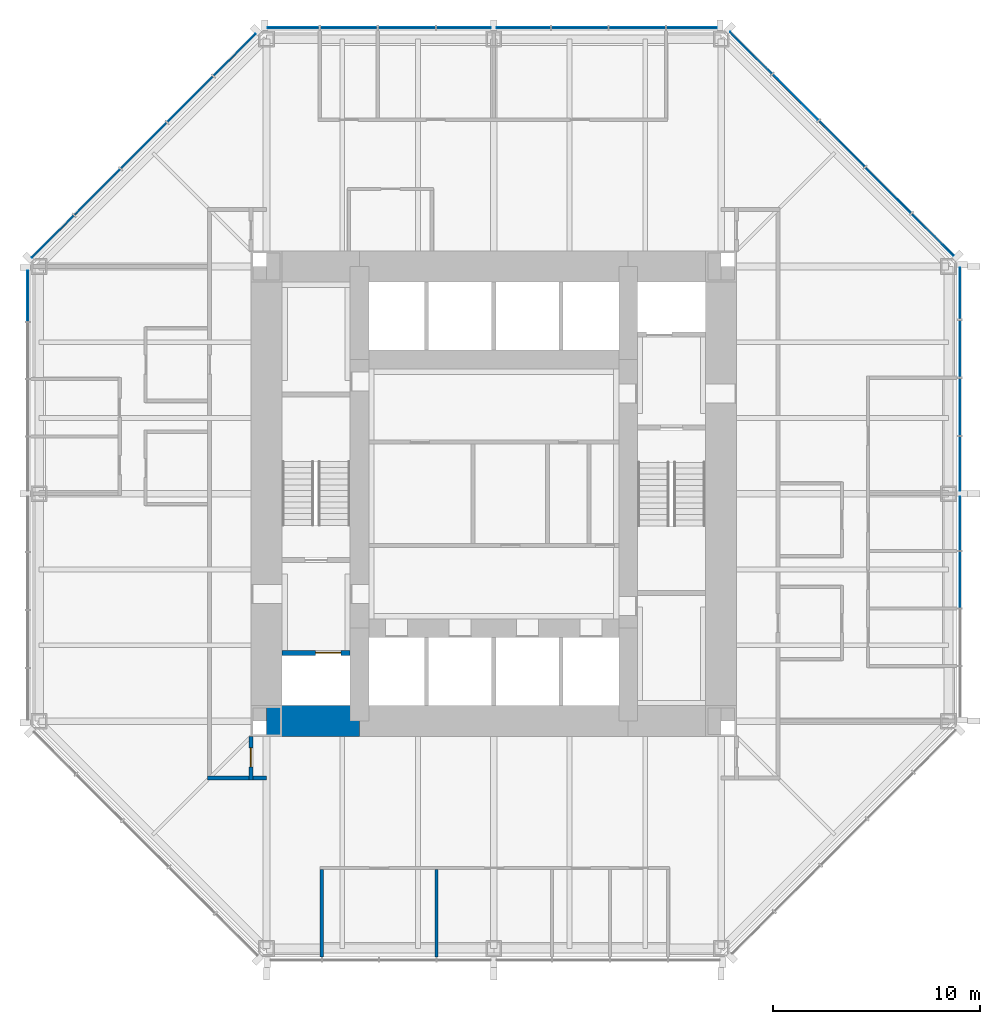
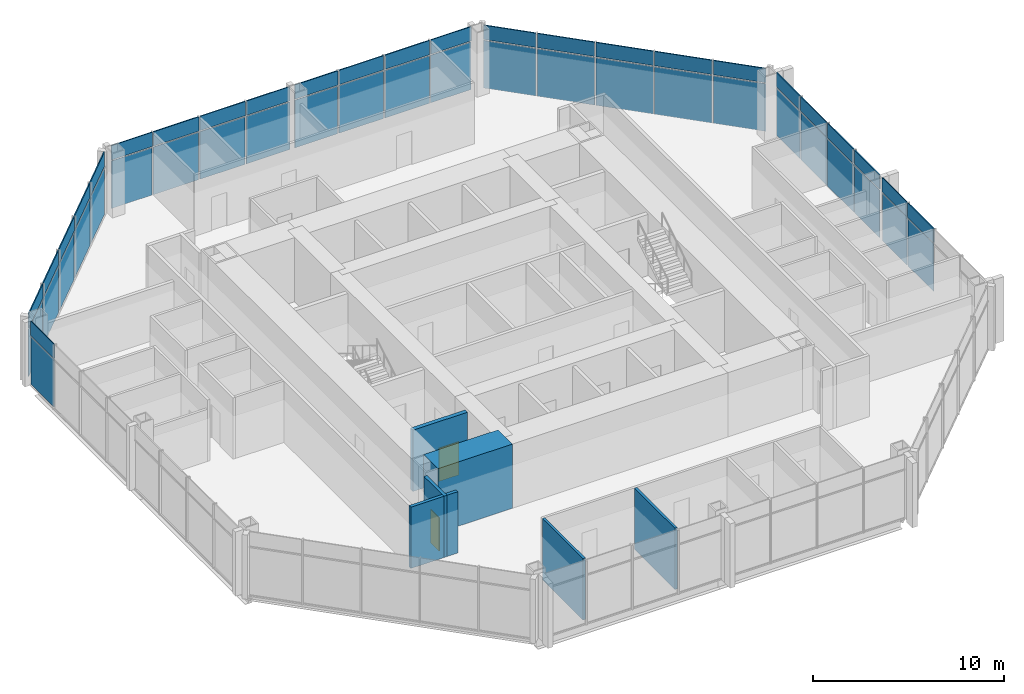
# One storey, part 8 of 12: 50 plates, 6 walls, 2 doors, 2 openings, 5 elements without a shape of their own.
"""IFC4 building model written with IfcOpenShell, lengths in metres."""

from ifc_helpers import new_model, si_unit, direction, frame, frame_2d, origin, origin_2d, place, context, subcontext, project, spatial, rectangle, extrude, material, layer, layer_set, type_object, element, fill, aggregate, save


model = new_model("IFC4")

# Units and contexts
model_context = context("Model", 3, precision=1e-05, world=origin(), true_north=direction((0.0, 1.0)))
body_context = subcontext(model_context, "Body", "Model", "MODEL_VIEW")
ifc_project = project(units=[si_unit("LENGTHUNIT", "METRE"), si_unit("AREAUNIT", "SQUARE_METRE"), si_unit("VOLUMEUNIT", "CUBIC_METRE"), si_unit("PLANEANGLEUNIT", "RADIAN"), si_unit("MASSUNIT", "GRAM", prefix="KILO")], contexts=[model_context])

# Site, building, storey
site_placement = place(None, origin())
site = spatial("IfcSite", under=ifc_project, at=site_placement, CompositionType="ELEMENT")
building_placement = place(site_placement, origin())
building = spatial("IfcBuilding", under=site, at=building_placement, Name="Trevanion Tower", CompositionType="ELEMENT")
storey_placement = place(building_placement, frame((0.0, 0.0, 141.800048828125)))
storey = spatial("IfcBuildingStorey", under=building, at=storey_placement, Name="L33", CompositionType="ELEMENT", Elevation=141.800048828125)

# Curtain wall, plates
ifc_material_1 = material(Name="Aluminium and glass", Category="aluminium")
curtain_wall_type = type_object("IfcCurtainWallType", Name="CW2 curtain wall", PredefinedType="USERDEFINED", material=ifc_material_1)
curtain_wall_1_placement = place(storey_placement, origin())
curtain_wall_1 = element("IfcCurtainWall", 1, at=curtain_wall_1_placement, inside=storey, type_object=curtain_wall_type, Name="CW2 L33 0", ObjectType="UNITISED CURTAIN WALL", PredefinedType="USERDEFINED")
ifc_material_2 = material(Name="Aluminium spandrel panel", Category="aluminium")
ifc_layer_1 = layer(ifc_material_2, 0.06005859375)
ifc_layer_set_1 = layer_set([ifc_layer_1], Name="CW2 spandrel panel")
plate_type_1 = type_object("IfcPlateType", Name="CW2 spandrel panel", PredefinedType="CURTAIN_PANEL", material=ifc_layer_set_1)
plate_1_placement = place(storey_placement, frame((22.550048828125, -4.16162109375, 2.99755859375), z_axis=(0.0, 0.0, 1.0), x_axis=(0.0, 1.0, 0.0)))
plate_1 = element("IfcPlate", 2, at=plate_1_placement, type_object=plate_type_1, Name="CW2 panel 3.2", PredefinedType="CURTAIN_PANEL", context=body_context, shape_type="SweptSolid", body=[
    extrude(rectangle(XDim=2.699462890625, YDim=0.06005859375, at=origin_2d()), origin(), (0.0, 0.0, 1.0), 0.91259765625),
])
plate_2_placement = place(storey_placement, frame((22.550048828125, -1.443603515625, 2.99755859375), z_axis=(0.0, 0.0, 1.0), x_axis=(0.0, 1.0, 0.0)))
plate_2 = element("IfcPlate", 3, at=plate_2_placement, type_object=plate_type_1, Name="CW2 panel 4.2", PredefinedType="CURTAIN_PANEL", context=body_context, shape_type="SweptSolid", body=[
    extrude(rectangle(XDim=2.5869140625, YDim=0.06005859375, at=origin_2d()), origin(), (0.0, 0.0, 1.0), 0.91259765625),
])
plate_3_placement = place(storey_placement, frame((22.550048828125, 1.459716796875, 2.99755859375), z_axis=(0.0, 0.0, 1.0), x_axis=(0.0, 1.0, 0.0)))
plate_3 = element("IfcPlate", 4, at=plate_3_placement, type_object=plate_type_1, Name="CW2 panel 5.2", PredefinedType="CURTAIN_PANEL", context=body_context, shape_type="SweptSolid", body=[
    extrude(rectangle(XDim=2.619384765625, YDim=0.06005859375, at=origin_2d()), origin(), (0.0, 0.0, 1.0), 0.91259765625),
])
plate_4_placement = place(storey_placement, frame((22.550048828125, 4.21044921875, 2.99755859375), z_axis=(0.0, 0.0, 1.0), x_axis=(0.0, 1.0, 0.0)))
plate_4 = element("IfcPlate", 5, at=plate_4_placement, type_object=plate_type_1, Name="CW2 panel 6.2", PredefinedType="CURTAIN_PANEL", context=body_context, shape_type="SweptSolid", body=[
    extrude(rectangle(XDim=2.73193359375, YDim=0.06005859375, at=origin_2d()), origin(), (0.0, 0.0, 1.0), 0.91259765625),
])
plate_5_placement = place(storey_placement, frame((22.550048828125, 7.017333984375, 2.99755859375), z_axis=(0.0, 0.0, 1.0), x_axis=(0.0, 1.0, 0.0)))
plate_5 = element("IfcPlate", 6, at=plate_5_placement, type_object=plate_type_1, Name="CW2 panel 7.2", PredefinedType="CURTAIN_PANEL", context=body_context, shape_type="SweptSolid", body=[
    extrude(rectangle(XDim=2.73193359375, YDim=0.06005859375, at=origin_2d()), origin(), (0.0, 0.0, 1.0), 0.91259765625),
])
plate_6_placement = place(storey_placement, frame((22.550048828125, 9.693115234375, 2.99755859375), z_axis=(0.0, 0.0, 1.0), x_axis=(0.0, 1.0, 0.0)))
plate_6 = element("IfcPlate", 7, at=plate_6_placement, type_object=plate_type_1, Name="CW2 panel 8.2", PredefinedType="CURTAIN_PANEL", context=body_context, shape_type="SweptSolid", body=[
    extrude(rectangle(XDim=2.469482421875, YDim=0.06005859375, at=origin_2d()), origin(), (0.0, 0.0, 1.0), 0.91259765625),
])

curtain_wall_2_placement = place(storey_placement, origin())
curtain_wall_2 = element("IfcCurtainWall", 8, at=curtain_wall_2_placement, inside=storey, type_object=curtain_wall_type, Name="CW2 L33 1", ObjectType="UNITISED CURTAIN WALL", PredefinedType="USERDEFINED")
plate_7_placement = place(storey_placement, frame((21.2421875, 12.53564453125, 2.99755859375), z_axis=(0.0, 0.0, 1.0), x_axis=(-0.707106781187, 0.707106781187, 0.0)))
plate_7 = element("IfcPlate", 9, at=plate_7_placement, type_object=plate_type_1, Name="CW2 panel 1.2", PredefinedType="CURTAIN_PANEL", context=body_context, shape_type="SweptSolid", body=[
    extrude(rectangle(XDim=2.8388671875, YDim=0.06005859375, at=origin_2d()), origin(), (0.0, 0.0, 1.0), 0.91259765625),
])
plate_8_placement = place(storey_placement, frame((19.089111328125, 14.688720703125, 2.99755859375), z_axis=(0.0, 0.0, 1.0), x_axis=(-0.707106781187, 0.707106781187, 0.0)))
plate_8 = element("IfcPlate", 10, at=plate_8_placement, type_object=plate_type_1, Name="CW2 panel 2.2", PredefinedType="CURTAIN_PANEL", context=body_context, shape_type="SweptSolid", body=[
    extrude(rectangle(XDim=3.101318359375, YDim=0.06005859375, at=origin_2d()), origin(), (0.0, 0.0, 1.0), 0.91259765625),
])
plate_9_placement = place(storey_placement, frame((16.843017578125, 16.934814453125, 2.99755859375), z_axis=(0.0, 0.0, 1.0), x_axis=(-0.707106781187, 0.707106781187, 0.0)))
plate_9 = element("IfcPlate", 11, at=plate_9_placement, type_object=plate_type_1, Name="CW2 panel 3.2", PredefinedType="CURTAIN_PANEL", context=body_context, shape_type="SweptSolid", body=[
    extrude(rectangle(XDim=3.101318359375, YDim=0.06005859375, at=origin_2d()), origin(), (0.0, 0.0, 1.0), 0.91259765625),
])
plate_10_placement = place(storey_placement, frame((14.596923828125, 19.180908203125, 2.99755859375), z_axis=(0.0, 0.0, 1.0), x_axis=(-0.707106781187, 0.707106781187, 0.0)))
plate_10 = element("IfcPlate", 12, at=plate_10_placement, type_object=plate_type_1, Name="CW2 panel 4.2", PredefinedType="CURTAIN_PANEL", context=body_context, shape_type="SweptSolid", body=[
    extrude(rectangle(XDim=3.101318359375, YDim=0.06005859375, at=origin_2d()), origin(), (0.0, 0.0, 1.0), 0.91259765625),
])
plate_11_placement = place(storey_placement, frame((12.443603515625, 21.334228515625, 2.99755859375), z_axis=(0.0, 0.0, 1.0), x_axis=(-0.707106781187, 0.707106781187, 0.0)))
plate_11 = element("IfcPlate", 13, at=plate_11_placement, type_object=plate_type_1, Name="CW2 panel 5.2", PredefinedType="CURTAIN_PANEL", context=body_context, shape_type="SweptSolid", body=[
    extrude(rectangle(XDim=2.8388671875, YDim=0.06005859375, at=origin_2d()), origin(), (0.0, 0.0, 1.0), 0.91259765625),
])

curtain_wall_3_placement = place(storey_placement, origin())
curtain_wall_3 = element("IfcCurtainWall", 14, at=curtain_wall_3_placement, inside=storey, type_object=curtain_wall_type, Name="CW2 L33 2", ObjectType="UNITISED CURTAIN WALL", PredefinedType="USERDEFINED")
plate_12_placement = place(storey_placement, frame((9.579345703125, 22.550048828125, 2.99755859375), z_axis=(0.0, 0.0, 1.0), x_axis=(-1.0, 0.0, 0.0)))
plate_12 = element("IfcPlate", 15, at=plate_12_placement, type_object=plate_type_1, Name="CW2 panel 1.2", PredefinedType="CURTAIN_PANEL", context=body_context, shape_type="SweptSolid", body=[
    extrude(rectangle(XDim=2.43701171875, YDim=0.06005859375, at=origin_2d()), origin(), (0.0, 0.0, 1.0), 0.91259765625),
])
plate_13_placement = place(storey_placement, frame((6.93603515625, 22.550048828125, 2.99755859375), z_axis=(0.0, 0.0, 1.0), x_axis=(-1.0, 0.0, 0.0)))
plate_13 = element("IfcPlate", 16, at=plate_13_placement, type_object=plate_type_1, Name="CW2 panel 2.2", PredefinedType="CURTAIN_PANEL", context=body_context, shape_type="SweptSolid", body=[
    extrude(rectangle(XDim=2.699462890625, YDim=0.06005859375, at=origin_2d()), origin(), (0.0, 0.0, 1.0), 0.91259765625),
])
plate_14_placement = place(storey_placement, frame((4.16162109375, 22.550048828125, 2.99755859375), z_axis=(0.0, 0.0, 1.0), x_axis=(-1.0, 0.0, 0.0)))
plate_14 = element("IfcPlate", 17, at=plate_14_placement, type_object=plate_type_1, Name="CW2 panel 3.2", PredefinedType="CURTAIN_PANEL", context=body_context, shape_type="SweptSolid", body=[
    extrude(rectangle(XDim=2.699462890625, YDim=0.06005859375, at=origin_2d()), origin(), (0.0, 0.0, 1.0), 0.91259765625),
])
plate_15_placement = place(storey_placement, frame((1.443603515625, 22.550048828125, 2.99755859375), z_axis=(0.0, 0.0, 1.0), x_axis=(-1.0, 0.0, 0.0)))
plate_15 = element("IfcPlate", 18, at=plate_15_placement, type_object=plate_type_1, Name="CW2 panel 4.2", PredefinedType="CURTAIN_PANEL", context=body_context, shape_type="SweptSolid", body=[
    extrude(rectangle(XDim=2.5869140625, YDim=0.06005859375, at=origin_2d()), origin(), (0.0, 0.0, 1.0), 0.91259765625),
])
plate_16_placement = place(storey_placement, frame((-1.459716796875, 22.550048828125, 2.99755859375), z_axis=(0.0, 0.0, 1.0), x_axis=(-1.0, 0.0, 0.0)))
plate_16 = element("IfcPlate", 19, at=plate_16_placement, type_object=plate_type_1, Name="CW2 panel 5.2", PredefinedType="CURTAIN_PANEL", context=body_context, shape_type="SweptSolid", body=[
    extrude(rectangle(XDim=2.619384765625, YDim=0.06005859375, at=origin_2d()), origin(), (0.0, 0.0, 1.0), 0.91259765625),
])
plate_17_placement = place(storey_placement, frame((-4.21044921875, 22.550048828125, 2.99755859375), z_axis=(0.0, 0.0, 1.0), x_axis=(-1.0, 0.0, 0.0)))
plate_17 = element("IfcPlate", 20, at=plate_17_placement, type_object=plate_type_1, Name="CW2 panel 6.2", PredefinedType="CURTAIN_PANEL", context=body_context, shape_type="SweptSolid", body=[
    extrude(rectangle(XDim=2.73193359375, YDim=0.06005859375, at=origin_2d()), origin(), (0.0, 0.0, 1.0), 0.91259765625),
])
plate_18_placement = place(storey_placement, frame((-7.017333984375, 22.550048828125, 2.99755859375), z_axis=(0.0, 0.0, 1.0), x_axis=(-1.0, 0.0, 0.0)))
plate_18 = element("IfcPlate", 21, at=plate_18_placement, type_object=plate_type_1, Name="CW2 panel 7.2", PredefinedType="CURTAIN_PANEL", context=body_context, shape_type="SweptSolid", body=[
    extrude(rectangle(XDim=2.73193359375, YDim=0.06005859375, at=origin_2d()), origin(), (0.0, 0.0, 1.0), 0.91259765625),
])
plate_19_placement = place(storey_placement, frame((-9.693115234375, 22.550048828125, 2.99755859375), z_axis=(0.0, 0.0, 1.0), x_axis=(-1.0, 0.0, 0.0)))
plate_19 = element("IfcPlate", 22, at=plate_19_placement, type_object=plate_type_1, Name="CW2 panel 8.2", PredefinedType="CURTAIN_PANEL", context=body_context, shape_type="SweptSolid", body=[
    extrude(rectangle(XDim=2.469482421875, YDim=0.06005859375, at=origin_2d()), origin(), (0.0, 0.0, 1.0), 0.91259765625),
])

curtain_wall_4_placement = place(storey_placement, origin())
curtain_wall_4 = element("IfcCurtainWall", 23, at=curtain_wall_4_placement, inside=storey, type_object=curtain_wall_type, Name="CW2 L33 3", ObjectType="UNITISED CURTAIN WALL", PredefinedType="USERDEFINED")
plate_20_placement = place(storey_placement, frame((-12.53564453125, 21.2421875, 2.99755859375), z_axis=(0.0, 0.0, 1.0), x_axis=(-0.707106781187, -0.707106781187, 0.0)))
plate_20 = element("IfcPlate", 24, at=plate_20_placement, type_object=plate_type_1, Name="CW2 panel 1.2", PredefinedType="CURTAIN_PANEL", context=body_context, shape_type="SweptSolid", body=[
    extrude(rectangle(XDim=2.8388671875, YDim=0.06005859375, at=origin_2d()), origin(), (0.0, 0.0, 1.0), 0.91259765625),
])
plate_21_placement = place(storey_placement, frame((-14.688720703125, 19.089111328125, 2.99755859375), z_axis=(0.0, 0.0, 1.0), x_axis=(-0.707106781187, -0.707106781187, 0.0)))
plate_21 = element("IfcPlate", 25, at=plate_21_placement, type_object=plate_type_1, Name="CW2 panel 2.2", PredefinedType="CURTAIN_PANEL", context=body_context, shape_type="SweptSolid", body=[
    extrude(rectangle(XDim=3.101318359375, YDim=0.06005859375, at=origin_2d()), origin(), (0.0, 0.0, 1.0), 0.91259765625),
])
plate_22_placement = place(storey_placement, frame((-16.934814453125, 16.843017578125, 2.99755859375), z_axis=(0.0, 0.0, 1.0), x_axis=(-0.707106781187, -0.707106781187, 0.0)))
plate_22 = element("IfcPlate", 26, at=plate_22_placement, type_object=plate_type_1, Name="CW2 panel 3.2", PredefinedType="CURTAIN_PANEL", context=body_context, shape_type="SweptSolid", body=[
    extrude(rectangle(XDim=3.101318359375, YDim=0.06005859375, at=origin_2d()), origin(), (0.0, 0.0, 1.0), 0.91259765625),
])
plate_23_placement = place(storey_placement, frame((-19.180908203125, 14.596923828125, 2.99755859375), z_axis=(0.0, 0.0, 1.0), x_axis=(-0.707106781187, -0.707106781187, 0.0)))
plate_23 = element("IfcPlate", 27, at=plate_23_placement, type_object=plate_type_1, Name="CW2 panel 4.2", PredefinedType="CURTAIN_PANEL", context=body_context, shape_type="SweptSolid", body=[
    extrude(rectangle(XDim=3.101318359375, YDim=0.06005859375, at=origin_2d()), origin(), (0.0, 0.0, 1.0), 0.91259765625),
])
plate_24_placement = place(storey_placement, frame((-21.334228515625, 12.443603515625, 2.99755859375), z_axis=(0.0, 0.0, 1.0), x_axis=(-0.707106781187, -0.707106781187, 0.0)))
plate_24 = element("IfcPlate", 28, at=plate_24_placement, type_object=plate_type_1, Name="CW2 panel 5.2", PredefinedType="CURTAIN_PANEL", context=body_context, shape_type="SweptSolid", body=[
    extrude(rectangle(XDim=2.8388671875, YDim=0.06005859375, at=origin_2d()), origin(), (0.0, 0.0, 1.0), 0.91259765625),
])

# Curtain wall, plate
curtain_wall_5_placement = place(storey_placement, origin())
curtain_wall_5 = element("IfcCurtainWall", 29, at=curtain_wall_5_placement, inside=storey, type_object=curtain_wall_type, Name="CW2 L33 4", ObjectType="UNITISED CURTAIN WALL", PredefinedType="USERDEFINED")
plate_25_placement = place(storey_placement, frame((-22.550048828125, 9.579345703125, 2.99755859375), z_axis=(0.0, 0.0, 1.0), x_axis=(0.0, -1.0, 0.0)))
plate_25 = element("IfcPlate", 30, at=plate_25_placement, type_object=plate_type_1, Name="CW2 panel 1.2", PredefinedType="CURTAIN_PANEL", context=body_context, shape_type="SweptSolid", body=[
    extrude(rectangle(XDim=2.43701171875, YDim=0.06005859375, at=origin_2d()), origin(), (0.0, 0.0, 1.0), 0.91259765625),
])

# Plate
ifc_material_3 = material(Name="Insulating glass unit", Category="glass")
ifc_layer_2 = layer(ifc_material_3, 0.028076171875)
ifc_layer_set_2 = layer_set([ifc_layer_2], Name="CW2 vision panel")
plate_type_2 = type_object("IfcPlateType", Name="CW2 vision panel", PredefinedType="CURTAIN_PANEL", material=ifc_layer_set_2)
plate_26_placement = place(storey_placement, frame((22.550048828125, -4.16162109375, -0.114990234375), z_axis=(0.0, 0.0, 1.0), x_axis=(0.0, 1.0, 0.0)))
plate_26 = element("IfcPlate", 31, at=plate_26_placement, type_object=plate_type_2, Name="CW2 panel 3.1", PredefinedType="CURTAIN_PANEL", context=body_context, shape_type="SweptSolid", body=[
    extrude(rectangle(XDim=2.699462890625, YDim=0.028076171875, at=origin_2d()), origin(), (0.0, 0.0, 1.0), 3.03759765625),
])

plate_27_placement = place(storey_placement, frame((22.550048828125, -1.443603515625, -0.114990234375), z_axis=(0.0, 0.0, 1.0), x_axis=(0.0, 1.0, 0.0)))
plate_27 = element("IfcPlate", 32, at=plate_27_placement, type_object=plate_type_2, Name="CW2 panel 4.1", PredefinedType="CURTAIN_PANEL", context=body_context, shape_type="SweptSolid", body=[
    extrude(rectangle(XDim=2.5869140625, YDim=0.028076171875, at=origin_2d()), origin(), (0.0, 0.0, 1.0), 3.03759765625),
])

plate_28_placement = place(storey_placement, frame((22.550048828125, 1.459716796875, -0.114990234375), z_axis=(0.0, 0.0, 1.0), x_axis=(0.0, 1.0, 0.0)))
plate_28 = element("IfcPlate", 33, at=plate_28_placement, type_object=plate_type_2, Name="CW2 panel 5.1", PredefinedType="CURTAIN_PANEL", context=body_context, shape_type="SweptSolid", body=[
    extrude(rectangle(XDim=2.619384765625, YDim=0.028076171875, at=origin_2d()), origin(), (0.0, 0.0, 1.0), 3.03759765625),
])

plate_29_placement = place(storey_placement, frame((22.550048828125, 4.21044921875, -0.114990234375), z_axis=(0.0, 0.0, 1.0), x_axis=(0.0, 1.0, 0.0)))
plate_29 = element("IfcPlate", 34, at=plate_29_placement, type_object=plate_type_2, Name="CW2 panel 6.1", PredefinedType="CURTAIN_PANEL", context=body_context, shape_type="SweptSolid", body=[
    extrude(rectangle(XDim=2.73193359375, YDim=0.028076171875, at=origin_2d()), origin(), (0.0, 0.0, 1.0), 3.03759765625),
])

plate_30_placement = place(storey_placement, frame((22.550048828125, 7.017333984375, -0.114990234375), z_axis=(0.0, 0.0, 1.0), x_axis=(0.0, 1.0, 0.0)))
plate_30 = element("IfcPlate", 35, at=plate_30_placement, type_object=plate_type_2, Name="CW2 panel 7.1", PredefinedType="CURTAIN_PANEL", context=body_context, shape_type="SweptSolid", body=[
    extrude(rectangle(XDim=2.73193359375, YDim=0.028076171875, at=origin_2d()), origin(), (0.0, 0.0, 1.0), 3.03759765625),
])

plate_31_placement = place(storey_placement, frame((22.550048828125, 9.693115234375, -0.114990234375), z_axis=(0.0, 0.0, 1.0), x_axis=(0.0, 1.0, 0.0)))
plate_31 = element("IfcPlate", 36, at=plate_31_placement, type_object=plate_type_2, Name="CW2 panel 8.1", PredefinedType="CURTAIN_PANEL", context=body_context, shape_type="SweptSolid", body=[
    extrude(rectangle(XDim=2.469482421875, YDim=0.028076171875, at=origin_2d()), origin(), (0.0, 0.0, 1.0), 3.03759765625),
])

aggregate(curtain_wall_1, [plate_26, plate_1, plate_27, plate_2, plate_28, plate_3, plate_29, plate_4, plate_30, plate_5, plate_31, plate_6])

plate_32_placement = place(storey_placement, frame((21.2421875, 12.53564453125, -0.114990234375), z_axis=(0.0, 0.0, 1.0), x_axis=(-0.707106781187, 0.707106781187, 0.0)))
plate_32 = element("IfcPlate", 37, at=plate_32_placement, type_object=plate_type_2, Name="CW2 panel 1.1", PredefinedType="CURTAIN_PANEL", context=body_context, shape_type="SweptSolid", body=[
    extrude(rectangle(XDim=2.8388671875, YDim=0.028076171875, at=origin_2d()), origin(), (0.0, 0.0, 1.0), 3.03759765625),
])

plate_33_placement = place(storey_placement, frame((19.089111328125, 14.688720703125, -0.114990234375), z_axis=(0.0, 0.0, 1.0), x_axis=(-0.707106781187, 0.707106781187, 0.0)))
plate_33 = element("IfcPlate", 38, at=plate_33_placement, type_object=plate_type_2, Name="CW2 panel 2.1", PredefinedType="CURTAIN_PANEL", context=body_context, shape_type="SweptSolid", body=[
    extrude(rectangle(XDim=3.101318359375, YDim=0.028076171875, at=origin_2d()), origin(), (0.0, 0.0, 1.0), 3.03759765625),
])

plate_34_placement = place(storey_placement, frame((16.843017578125, 16.934814453125, -0.114990234375), z_axis=(0.0, 0.0, 1.0), x_axis=(-0.707106781187, 0.707106781187, 0.0)))
plate_34 = element("IfcPlate", 39, at=plate_34_placement, type_object=plate_type_2, Name="CW2 panel 3.1", PredefinedType="CURTAIN_PANEL", context=body_context, shape_type="SweptSolid", body=[
    extrude(rectangle(XDim=3.101318359375, YDim=0.028076171875, at=origin_2d()), origin(), (0.0, 0.0, 1.0), 3.03759765625),
])

plate_35_placement = place(storey_placement, frame((14.596923828125, 19.180908203125, -0.114990234375), z_axis=(0.0, 0.0, 1.0), x_axis=(-0.707106781187, 0.707106781187, 0.0)))
plate_35 = element("IfcPlate", 40, at=plate_35_placement, type_object=plate_type_2, Name="CW2 panel 4.1", PredefinedType="CURTAIN_PANEL", context=body_context, shape_type="SweptSolid", body=[
    extrude(rectangle(XDim=3.101318359375, YDim=0.028076171875, at=origin_2d()), origin(), (0.0, 0.0, 1.0), 3.03759765625),
])

plate_36_placement = place(storey_placement, frame((12.443603515625, 21.334228515625, -0.114990234375), z_axis=(0.0, 0.0, 1.0), x_axis=(-0.707106781187, 0.707106781187, 0.0)))
plate_36 = element("IfcPlate", 41, at=plate_36_placement, type_object=plate_type_2, Name="CW2 panel 5.1", PredefinedType="CURTAIN_PANEL", context=body_context, shape_type="SweptSolid", body=[
    extrude(rectangle(XDim=2.8388671875, YDim=0.028076171875, at=origin_2d()), origin(), (0.0, 0.0, 1.0), 3.03759765625),
])

aggregate(curtain_wall_2, [plate_32, plate_7, plate_33, plate_8, plate_34, plate_9, plate_35, plate_10, plate_36, plate_11])

plate_37_placement = place(storey_placement, frame((9.579345703125, 22.550048828125, -0.114990234375), z_axis=(0.0, 0.0, 1.0), x_axis=(-1.0, 0.0, 0.0)))
plate_37 = element("IfcPlate", 42, at=plate_37_placement, type_object=plate_type_2, Name="CW2 panel 1.1", PredefinedType="CURTAIN_PANEL", context=body_context, shape_type="SweptSolid", body=[
    extrude(rectangle(XDim=2.43701171875, YDim=0.028076171875, at=origin_2d()), origin(), (0.0, 0.0, 1.0), 3.03759765625),
])

plate_38_placement = place(storey_placement, frame((6.93603515625, 22.550048828125, -0.114990234375), z_axis=(0.0, 0.0, 1.0), x_axis=(-1.0, 0.0, 0.0)))
plate_38 = element("IfcPlate", 43, at=plate_38_placement, type_object=plate_type_2, Name="CW2 panel 2.1", PredefinedType="CURTAIN_PANEL", context=body_context, shape_type="SweptSolid", body=[
    extrude(rectangle(XDim=2.699462890625, YDim=0.028076171875, at=origin_2d()), origin(), (0.0, 0.0, 1.0), 3.03759765625),
])

plate_39_placement = place(storey_placement, frame((4.16162109375, 22.550048828125, -0.114990234375), z_axis=(0.0, 0.0, 1.0), x_axis=(-1.0, 0.0, 0.0)))
plate_39 = element("IfcPlate", 44, at=plate_39_placement, type_object=plate_type_2, Name="CW2 panel 3.1", PredefinedType="CURTAIN_PANEL", context=body_context, shape_type="SweptSolid", body=[
    extrude(rectangle(XDim=2.699462890625, YDim=0.028076171875, at=origin_2d()), origin(), (0.0, 0.0, 1.0), 3.03759765625),
])

plate_40_placement = place(storey_placement, frame((1.443603515625, 22.550048828125, -0.114990234375), z_axis=(0.0, 0.0, 1.0), x_axis=(-1.0, 0.0, 0.0)))
plate_40 = element("IfcPlate", 45, at=plate_40_placement, type_object=plate_type_2, Name="CW2 panel 4.1", PredefinedType="CURTAIN_PANEL", context=body_context, shape_type="SweptSolid", body=[
    extrude(rectangle(XDim=2.5869140625, YDim=0.028076171875, at=origin_2d()), origin(), (0.0, 0.0, 1.0), 3.03759765625),
])

plate_41_placement = place(storey_placement, frame((-1.459716796875, 22.550048828125, -0.114990234375), z_axis=(0.0, 0.0, 1.0), x_axis=(-1.0, 0.0, 0.0)))
plate_41 = element("IfcPlate", 46, at=plate_41_placement, type_object=plate_type_2, Name="CW2 panel 5.1", PredefinedType="CURTAIN_PANEL", context=body_context, shape_type="SweptSolid", body=[
    extrude(rectangle(XDim=2.619384765625, YDim=0.028076171875, at=origin_2d()), origin(), (0.0, 0.0, 1.0), 3.03759765625),
])

plate_42_placement = place(storey_placement, frame((-4.21044921875, 22.550048828125, -0.114990234375), z_axis=(0.0, 0.0, 1.0), x_axis=(-1.0, 0.0, 0.0)))
plate_42 = element("IfcPlate", 47, at=plate_42_placement, type_object=plate_type_2, Name="CW2 panel 6.1", PredefinedType="CURTAIN_PANEL", context=body_context, shape_type="SweptSolid", body=[
    extrude(rectangle(XDim=2.73193359375, YDim=0.028076171875, at=origin_2d()), origin(), (0.0, 0.0, 1.0), 3.03759765625),
])

plate_43_placement = place(storey_placement, frame((-7.017333984375, 22.550048828125, -0.114990234375), z_axis=(0.0, 0.0, 1.0), x_axis=(-1.0, 0.0, 0.0)))
plate_43 = element("IfcPlate", 48, at=plate_43_placement, type_object=plate_type_2, Name="CW2 panel 7.1", PredefinedType="CURTAIN_PANEL", context=body_context, shape_type="SweptSolid", body=[
    extrude(rectangle(XDim=2.73193359375, YDim=0.028076171875, at=origin_2d()), origin(), (0.0, 0.0, 1.0), 3.03759765625),
])

plate_44_placement = place(storey_placement, frame((-9.693115234375, 22.550048828125, -0.114990234375), z_axis=(0.0, 0.0, 1.0), x_axis=(-1.0, 0.0, 0.0)))
plate_44 = element("IfcPlate", 49, at=plate_44_placement, type_object=plate_type_2, Name="CW2 panel 8.1", PredefinedType="CURTAIN_PANEL", context=body_context, shape_type="SweptSolid", body=[
    extrude(rectangle(XDim=2.469482421875, YDim=0.028076171875, at=origin_2d()), origin(), (0.0, 0.0, 1.0), 3.03759765625),
])

aggregate(curtain_wall_3, [plate_37, plate_12, plate_38, plate_13, plate_39, plate_14, plate_40, plate_15, plate_41, plate_16, plate_42, plate_17, plate_43, plate_18, plate_44, plate_19])

plate_45_placement = place(storey_placement, frame((-12.53564453125, 21.2421875, -0.114990234375), z_axis=(0.0, 0.0, 1.0), x_axis=(-0.707106781187, -0.707106781187, 0.0)))
plate_45 = element("IfcPlate", 50, at=plate_45_placement, type_object=plate_type_2, Name="CW2 panel 1.1", PredefinedType="CURTAIN_PANEL", context=body_context, shape_type="SweptSolid", body=[
    extrude(rectangle(XDim=2.8388671875, YDim=0.028076171875, at=origin_2d()), origin(), (0.0, 0.0, 1.0), 3.03759765625),
])

plate_46_placement = place(storey_placement, frame((-14.688720703125, 19.089111328125, -0.114990234375), z_axis=(0.0, 0.0, 1.0), x_axis=(-0.707106781187, -0.707106781187, 0.0)))
plate_46 = element("IfcPlate", 51, at=plate_46_placement, type_object=plate_type_2, Name="CW2 panel 2.1", PredefinedType="CURTAIN_PANEL", context=body_context, shape_type="SweptSolid", body=[
    extrude(rectangle(XDim=3.101318359375, YDim=0.028076171875, at=origin_2d()), origin(), (0.0, 0.0, 1.0), 3.03759765625),
])

plate_47_placement = place(storey_placement, frame((-16.934814453125, 16.843017578125, -0.114990234375), z_axis=(0.0, 0.0, 1.0), x_axis=(-0.707106781187, -0.707106781187, 0.0)))
plate_47 = element("IfcPlate", 52, at=plate_47_placement, type_object=plate_type_2, Name="CW2 panel 3.1", PredefinedType="CURTAIN_PANEL", context=body_context, shape_type="SweptSolid", body=[
    extrude(rectangle(XDim=3.101318359375, YDim=0.028076171875, at=origin_2d()), origin(), (0.0, 0.0, 1.0), 3.03759765625),
])

plate_48_placement = place(storey_placement, frame((-19.180908203125, 14.596923828125, -0.114990234375), z_axis=(0.0, 0.0, 1.0), x_axis=(-0.707106781187, -0.707106781187, 0.0)))
plate_48 = element("IfcPlate", 53, at=plate_48_placement, type_object=plate_type_2, Name="CW2 panel 4.1", PredefinedType="CURTAIN_PANEL", context=body_context, shape_type="SweptSolid", body=[
    extrude(rectangle(XDim=3.101318359375, YDim=0.028076171875, at=origin_2d()), origin(), (0.0, 0.0, 1.0), 3.03759765625),
])

plate_49_placement = place(storey_placement, frame((-21.334228515625, 12.443603515625, -0.114990234375), z_axis=(0.0, 0.0, 1.0), x_axis=(-0.707106781187, -0.707106781187, 0.0)))
plate_49 = element("IfcPlate", 54, at=plate_49_placement, type_object=plate_type_2, Name="CW2 panel 5.1", PredefinedType="CURTAIN_PANEL", context=body_context, shape_type="SweptSolid", body=[
    extrude(rectangle(XDim=2.8388671875, YDim=0.028076171875, at=origin_2d()), origin(), (0.0, 0.0, 1.0), 3.03759765625),
])

aggregate(curtain_wall_4, [plate_45, plate_20, plate_46, plate_21, plate_47, plate_22, plate_48, plate_23, plate_49, plate_24])

plate_50_placement = place(storey_placement, frame((-22.550048828125, 9.579345703125, -0.114990234375), z_axis=(0.0, 0.0, 1.0), x_axis=(0.0, -1.0, 0.0)))
plate_50 = element("IfcPlate", 55, at=plate_50_placement, type_object=plate_type_2, Name="CW2 panel 1.1", PredefinedType="CURTAIN_PANEL", context=body_context, shape_type="SweptSolid", body=[
    extrude(rectangle(XDim=2.43701171875, YDim=0.028076171875, at=origin_2d()), origin(), (0.0, 0.0, 1.0), 3.03759765625),
])

aggregate(curtain_wall_5, [plate_50, plate_25])

# Walls
ifc_material_4 = material(Name="Concrete 10,000 psi", Category="concrete")
ifc_layer_3 = layer(ifc_material_4, 1.5)
ifc_layer_set_3 = layer_set([ifc_layer_3], Name="CW1 core wall 1500")
wall_type_1 = type_object("IfcWallType", Name="CW1 core wall 1500", PredefinedType="SHEAR", material=ifc_layer_set_3)
wall_1_placement = place(storey_placement, frame((-11.0, -11.0, 0.0), z_axis=(0.0, 0.0, 1.0), x_axis=(1.0, 0.0, 0.0)))
element("IfcWall", 56, at=wall_1_placement, inside=storey, type_object=wall_type_1, Name="CW1 CS1 L33", PredefinedType="SHEAR", context=body_context, shape_type="SweptSolid", body=[
    extrude(rectangle(XDim=4.5, YDim=1.5, at=frame_2d((2.25, 0.0))), origin(), (0.0, 0.0, 1.0), 4.099853515625),
])
ifc_material_5 = material(Name="Gypsum board on steel studs", Category="steel")
ifc_layer_4 = layer(ifc_material_5, 0.14990234375)
ifc_layer_set_4 = layer_set([ifc_layer_4], Name="PT1 partition 150")
wall_type_2 = type_object("IfcWallType", Name="PT1 partition 150", PredefinedType="PARTITIONING", material=ifc_layer_set_4)
for number, where, z_axis, x_axis, name in (
    (57, (-8.322998046875, -18.175048828125, 0.0), (0.0, 0.0, 1.0), (0.0, -1.0, 0.0), "PT1 L33 FC3S0"),
    (58, (-2.77490234375, -18.175048828125, 0.0), (0.0, 0.0, 1.0), (0.0, -1.0, 0.0), "PT1 L33 FC3S2"),
):
    element("IfcWall", number, at=place(storey_placement, frame(where, z_axis=z_axis, x_axis=x_axis)), inside=storey, type_object=wall_type_2, Name=name, PredefinedType="PARTITIONING", context=body_context, shape_type="SweptSolid", body=[
        extrude(rectangle(XDim=4.239990234375, YDim=0.14990234375, at=frame_2d((2.1201171875, 0.0))), origin(), (0.0, 0.0, 1.0), 3.909912109375),
    ])

# Wall, opening, door
ifc_material_6 = material(Name="Concrete masonry, grouted", Category="masonry")
ifc_layer_5 = layer(ifc_material_6, 0.199951171875)
ifc_layer_set_5 = layer_set([ifc_layer_5], Name="PT2 partition 200 1 HR")
wall_type_3 = type_object("IfcWallType", Name="PT2 partition 200 1 HR", PredefinedType="PARTITIONING", material=ifc_layer_set_5)
wall_2_placement = place(storey_placement, frame((-11.75, -11.75, 0.0), z_axis=(0.0, 0.0, 1.0), x_axis=(0.0, -1.0, 0.0)))
wall_2 = element("IfcWall", 59, at=wall_2_placement, inside=storey, type_object=wall_type_3, Name="PT2 L33 OUSW1", PredefinedType="PARTITIONING", context=body_context, shape_type="SweptSolid", body=[
    extrude(rectangle(XDim=2.10009765625, YDim=0.199951171875, at=frame_2d((1.050048828125, 0.0))), origin(), (0.0, 0.0, 1.0), 3.909912109375),
])
opening_1_placement = place(wall_2_placement, frame((0.54248046875, 0.0, 0.0)))
opening_1 = element("IfcOpeningElement", 60, at=opening_1_placement, cuts=wall_2, Name="Opening 33-022", PredefinedType="OPENING", context=body_context, shape_type="SweptSolid", body=[
    extrude(rectangle(XDim=0.9150390625, YDim=2.134033203125, at=frame_2d((0.45751953125, 1.06689453125))), frame((0.0, 0.10986328125, 0.0), z_axis=(0.0, -1.0, 0.0), x_axis=(1.0, 0.0, 0.0)), (0.0, 0.0, 1.0), 0.219970703125),
])
ifc_material_7 = material(Name="Timber veneer, fire rated", Category="wood")
door_type_1 = type_object("IfcDoorType", Name="D10 office door in a one hour wall", OperationType="SINGLE_SWING_LEFT", PredefinedType="DOOR", material=ifc_material_7)
door_1_placement = place(opening_1_placement, origin())
door_1 = element("IfcDoor", 61, at=door_1_placement, inside=storey, type_object=door_type_1, Name="Door 33-022", OperationType="SINGLE_SWING_LEFT", OverallHeight=2.134033203125, OverallWidth=0.9150390625, PredefinedType="DOOR", context=body_context, shape_type="SweptSolid", body=[
    extrude(rectangle(XDim=0.9150390625, YDim=2.134033203125, at=frame_2d((0.45751953125, 1.06689453125))), frame((0.0, 0.02490234375, 0.0), z_axis=(0.0, -1.0, 0.0), x_axis=(1.0, 0.0, 0.0)), (0.0, 0.0, 1.0), 0.050048828125),
])
fill(opening_1, door_1)

# Wall
wall_3_placement = place(storey_placement, frame((-11.0, -13.75, 0.0), z_axis=(0.0, 0.0, 1.0), x_axis=(-1.0, 0.0, 0.0)))
element("IfcWall", 62, at=wall_3_placement, inside=storey, type_object=wall_type_3, Name="PT2 L33 OUSW2", PredefinedType="PARTITIONING", context=body_context, shape_type="SweptSolid", body=[
    extrude(rectangle(XDim=2.85009765625, YDim=0.199951171875, at=frame_2d((1.425048828125, 0.0))), origin(), (0.0, 0.0, 1.0), 3.909912109375),
])

# Wall, opening, door
ifc_material_8 = material(Name="Concrete masonry, grouted, two-hour", Category="masonry")
ifc_layer_6 = layer(ifc_material_8, 0.25)
ifc_layer_set_6 = layer_set([ifc_layer_6], Name="PT3 partition 250 2 HR")
wall_type_4 = type_object("IfcWallType", Name="PT3 partition 250 2 HR", PredefinedType="PARTITIONING", material=ifc_layer_set_6)
wall_4_placement = place(storey_placement, frame((-6.949951171875, -7.699951171875, 0.0), z_axis=(0.0, 0.0, 1.0), x_axis=(-1.0, 0.0, 0.0)))
wall_4 = element("IfcWall", 63, at=wall_4_placement, inside=storey, type_object=wall_type_4, Name="PT3 L33 WP3", PredefinedType="PARTITIONING", context=body_context, shape_type="SweptSolid", body=[
    extrude(rectangle(XDim=3.300048828125, YDim=0.25, at=frame_2d((1.64990234375, 0.0))), origin(), (0.0, 0.0, 1.0), 3.909912109375),
])
opening_2_placement = place(wall_4_placement, frame((0.449951171875, 0.0, 0.0)))
opening_2 = element("IfcOpeningElement", 64, at=opening_2_placement, cuts=wall_4, Name="Opening 33-008", PredefinedType="OPENING", context=body_context, shape_type="SweptSolid", body=[
    extrude(rectangle(XDim=1.218994140625, YDim=2.134033203125, at=frame_2d((0.609375, 1.06689453125))), frame((0.0, 0.135009765625, 0.0), z_axis=(0.0, -1.0, 0.0), x_axis=(1.0, 0.0, 0.0)), (0.0, 0.0, 1.0), 0.27001953125),
])
ifc_material_9 = material(Name="Stainless steel, fire rated", Category="steel")
door_type_2 = type_object("IfcDoorType", Name="LD2 fire service lift landing door", OperationType="SLIDING_TO_LEFT", PredefinedType="DOOR", material=ifc_material_9)
door_2_placement = place(opening_2_placement, origin())
door_2 = element("IfcDoor", 65, at=door_2_placement, inside=storey, type_object=door_type_2, Name="Door 33-008", OperationType="SLIDING_TO_LEFT", OverallHeight=2.134033203125, OverallWidth=1.218994140625, PredefinedType="DOOR", context=body_context, shape_type="SweptSolid", body=[
    extrude(rectangle(XDim=1.218994140625, YDim=2.134033203125, at=frame_2d((0.609375, 1.06689453125))), frame((0.0, 0.02490234375, 0.0), z_axis=(0.0, -1.0, 0.0), x_axis=(1.0, 0.0, 0.0)), (0.0, 0.0, 1.0), 0.050048828125),
])
fill(opening_2, door_2)

save(model, "model.ifc")
